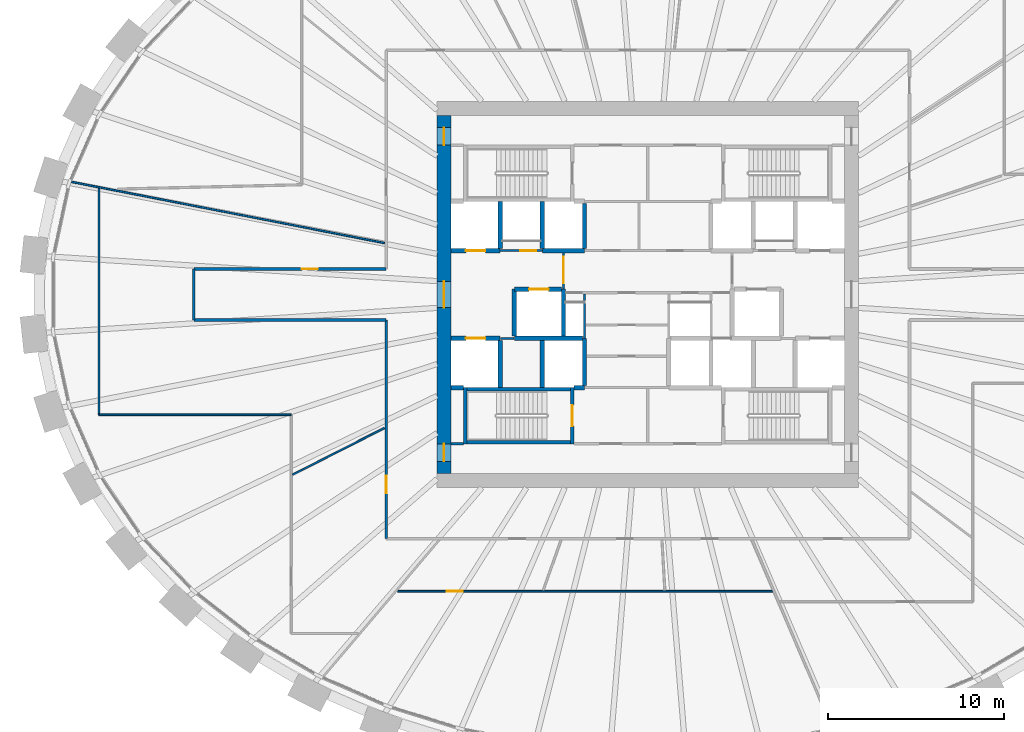
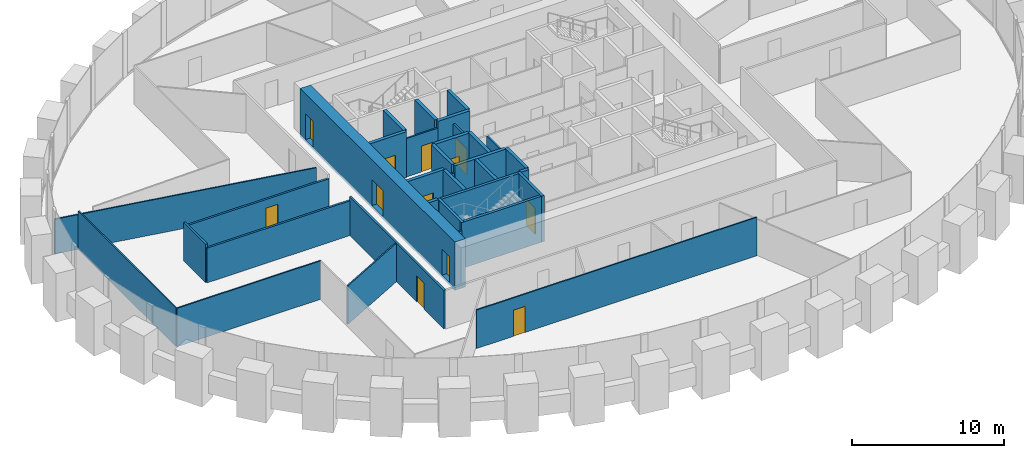
# One storey, part 6 of 11: 34 walls, 12 doors, 12 openings.
"""IFC4 building model written with IfcOpenShell, lengths in metres."""

from ifc_helpers import new_model, si_unit, direction, frame, frame_2d, origin, place, context, subcontext, project, spatial, rectangle, extrude, source, transform, mapped, material, layer, layer_set, type_object, element, fill, save


model = new_model("IFC4")

# Units and contexts
model_context = context("Model", 3, precision=1e-05, world=origin(), true_north=direction((0.0, 1.0)))
body_context = subcontext(model_context, "Body", "Model", "MODEL_VIEW")
ifc_project = project(units=[si_unit("LENGTHUNIT", "METRE"), si_unit("AREAUNIT", "SQUARE_METRE"), si_unit("VOLUMEUNIT", "CUBIC_METRE"), si_unit("PLANEANGLEUNIT", "RADIAN"), si_unit("MASSUNIT", "GRAM", prefix="KILO")], contexts=[model_context])

# Site, building, storey
site_placement = place(None, origin())
site = spatial("IfcSite", under=ifc_project, at=site_placement, CompositionType="ELEMENT")
building_placement = place(site_placement, origin())
building = spatial("IfcBuilding", under=site, at=building_placement, Name="Embergate Tower", CompositionType="ELEMENT")
storey_placement = place(building_placement, frame((0.0, 0.0, 226.800048828125)))
storey = spatial("IfcBuildingStorey", under=building, at=storey_placement, Name="L52", CompositionType="ELEMENT", Elevation=226.800048828125)

# Wall, openings, doors
ifc_material_1 = material(Name="Concrete C70", Category="concrete")
ifc_layer_1 = layer(ifc_material_1, 0.800048828125)
ifc_layer_set_1 = layer_set([ifc_layer_1], Name="Concrete C70")
wall_type_1 = type_object("IfcWallType", Name="Core outer wall C70 800", PredefinedType="SHEAR", material=ifc_layer_set_1)
shared_shape_1 = source(origin(), body_context, "Body", "SweptSolid", [
    extrude(rectangle(XDim=20.39990234375, YDim=0.800048828125, at=frame_2d((10.199951171875, 0.0))), origin(), (0.0, 0.0, 1.0), 3.89990234375),
])
wall_1_placement = place(storey_placement, frame((-11.60009765625, -10.199951171875, -0.199951171875), z_axis=(0.0, 0.0, 1.0), x_axis=(0.0, 1.0, 0.0)))
wall_1 = element("IfcWall", 1, at=wall_1_placement, inside=storey, type_object=wall_type_1, Name="CW-L52-W", PredefinedType="SHEAR", context=body_context, shape_type="MappedRepresentation", body=[
    mapped(shared_shape_1, transform((0.0, 0.0, 0.0))),
])
shared_shape_2 = source(origin(), body_context, "Body", "SweptSolid", [
    extrude(rectangle(XDim=1.0, YDim=2.10009765625, at=frame_2d((0.5, 1.050048828125))), frame((0.0, 0.409912109375, 0.0), z_axis=(0.0, -1.0, 0.0), x_axis=(1.0, 0.0, 0.0)), (0.0, 0.0, 1.0), 0.820068359375),
])
opening_1_placement = place(wall_1_placement, frame((18.699951171875, 0.0, 0.199951171875)))
opening_1 = element("IfcOpeningElement", 2, at=opening_1_placement, cuts=wall_1, Name="Opening IF-1d", PredefinedType="OPENING", context=body_context, shape_type="MappedRepresentation", body=[
    mapped(shared_shape_2, transform((0.0, 0.0, 0.0))),
])
opening_2_placement = place(wall_1_placement, frame((0.699951171875, 0.0, 0.199951171875)))
opening_2 = element("IfcOpeningElement", 3, at=opening_2_placement, cuts=wall_1, Name="Opening IF-1d", PredefinedType="OPENING", context=body_context, shape_type="MappedRepresentation", body=[
    mapped(shared_shape_2, transform((0.0, 0.0, 0.0))),
])
shared_shape_3 = source(origin(), body_context, "Body", "SweptSolid", [
    extrude(rectangle(XDim=1.5, YDim=2.10009765625, at=frame_2d((0.75, 1.050048828125))), frame((0.0, 0.409912109375, 0.0), z_axis=(0.0, -1.0, 0.0), x_axis=(1.0, 0.0, 0.0)), (0.0, 0.0, 1.0), 0.820068359375),
])
opening_3_placement = place(wall_1_placement, frame((9.449951171875, 0.0, 0.199951171875)))
opening_3 = element("IfcOpeningElement", 4, at=opening_3_placement, cuts=wall_1, Name="Opening IF-3", PredefinedType="OPENING", context=body_context, shape_type="MappedRepresentation", body=[
    mapped(shared_shape_3, transform((0.0, 0.0, 0.0))),
])
ifc_material_2 = material(Name="Lobby fire door pair 1500")
door_type_1 = type_object("IfcDoorType", Name="Lobby fire door pair 1500", OperationType="DOUBLE_DOOR_SINGLE_SWING", PredefinedType="DOOR", material=ifc_material_2)
shared_shape_4 = source(origin(), body_context, "Body", "SweptSolid", [
    extrude(rectangle(XDim=1.5, YDim=2.10009765625, at=frame_2d((0.75, 1.050048828125))), frame((0.0, 0.02490234375, 0.0), z_axis=(0.0, -1.0, 0.0), x_axis=(1.0, 0.0, 0.0)), (0.0, 0.0, 1.0), 0.050048828125),
])
door_1_placement = place(opening_3_placement, origin())
door_1 = element("IfcDoor", 5, at=door_1_placement, inside=storey, type_object=door_type_1, Name="IF-3 door", OperationType="DOUBLE_DOOR_SINGLE_SWING", OverallHeight=2.10009765625, OverallWidth=1.5, PredefinedType="DOOR", context=body_context, shape_type="MappedRepresentation", body=[
    mapped(shared_shape_4, transform((0.0, 0.0, 0.0))),
])
fill(opening_3, door_1)
ifc_material_3 = material(Name="Escape fire door 1000")
door_type_2 = type_object("IfcDoorType", Name="Escape fire door 1000", OperationType="SINGLE_SWING_LEFT", PredefinedType="DOOR", material=ifc_material_3)
shared_shape_5 = source(origin(), body_context, "Body", "SweptSolid", [
    extrude(rectangle(XDim=1.0, YDim=2.10009765625, at=frame_2d((0.5, 1.050048828125))), frame((0.0, 0.02490234375, 0.0), z_axis=(0.0, -1.0, 0.0), x_axis=(1.0, 0.0, 0.0)), (0.0, 0.0, 1.0), 0.050048828125),
])
door_2_placement = place(opening_1_placement, origin())
door_2 = element("IfcDoor", 6, at=door_2_placement, inside=storey, type_object=door_type_2, Name="IF-1 door", OperationType="SINGLE_SWING_RIGHT", OverallHeight=2.10009765625, OverallWidth=1.0, PredefinedType="DOOR", context=body_context, shape_type="MappedRepresentation", body=[
    mapped(shared_shape_5, transform((0.0, 0.0, 0.0))),
])
fill(opening_1, door_2)
door_3_placement = place(opening_2_placement, origin())
door_3 = element("IfcDoor", 7, at=door_3_placement, inside=storey, type_object=door_type_2, Name="IF-1 door", OperationType="SINGLE_SWING_RIGHT", OverallHeight=2.10009765625, OverallWidth=1.0, PredefinedType="DOOR", context=body_context, shape_type="MappedRepresentation", body=[
    mapped(shared_shape_5, transform((0.0, 0.0, 0.0))),
])
fill(opening_2, door_3)

# Walls
ifc_material_4 = material(Name="Concrete C50", Category="concrete")
ifc_layer_2 = layer(ifc_material_4, 0.25)
ifc_layer_set_2 = layer_set([ifc_layer_2], Name="Concrete C50")
wall_type_2 = type_object("IfcWallType", Name="Hoistway wall reinforced concrete 250", PredefinedType="SHEAR", material=ifc_layer_set_2)
shared_shape_6 = source(origin(), body_context, "Body", "SweptSolid", [
    extrude(rectangle(XDim=2.675048828125, YDim=0.25, at=frame_2d((1.33740234375, 0.0))), origin(), (0.0, 0.0, 1.0), 3.699951171875),
])
for number, where, z_axis, x_axis, name in (
    (8, (-8.39990234375, 2.625, 0.0), (0.0, 0.0, 1.0), (0.0, 1.0, 0.0), "HW-1 wall"),
    (9, (-6.0, 2.625, 0.0), (0.0, 0.0, 1.0), (0.0, 1.0, 0.0), "HW-1 wall"),
    (10, (-3.60009765625, -5.175048828125, 0.0), (0.0, 0.0, 1.0), (0.0, 1.0, 0.0), "HW-1 wall"),
    (11, (-4.800048828125, 0.300048828125, 0.0), (0.0, 0.0, 1.0), (0.0, -1.0, 0.0), "HW-1 wall"),
):
    element("IfcWall", number, at=place(storey_placement, frame(where, z_axis=z_axis, x_axis=x_axis)), inside=storey, type_object=wall_type_2, Name=name, PredefinedType="SHEAR", context=body_context, shape_type="MappedRepresentation", body=[
        mapped(shared_shape_6, transform((0.0, 0.0, 0.0))),
    ])

# Wall, opening, door
wall_2_placement = place(storey_placement, frame((-4.925048828125, 0.300048828125, 0.0), z_axis=(0.0, 0.0, 1.0), x_axis=(-1.0, 0.0, 0.0)))
wall_2 = element("IfcWall", 12, at=wall_2_placement, inside=storey, type_object=wall_type_2, Name="HW-1 wall", PredefinedType="SHEAR", context=body_context, shape_type="MappedRepresentation", body=[
    mapped(shared_shape_6, transform((0.0, 0.0, 0.0))),
])
shared_shape_7 = source(origin(), body_context, "Body", "SweptSolid", [
    extrude(rectangle(XDim=1.10009765625, YDim=2.10009765625, at=frame_2d((0.550048828125, 1.050048828125))), frame((0.0, 0.135009765625, 0.0), z_axis=(0.0, -1.0, 0.0), x_axis=(1.0, 0.0, 0.0)), (0.0, 0.0, 1.0), 0.27001953125),
])
opening_4_placement = place(wall_2_placement, frame((0.72509765625, 0.0, 0.0)))
opening_4 = element("IfcOpeningElement", 13, at=opening_4_placement, cuts=wall_2, Name="Opening LD", PredefinedType="OPENING", context=body_context, shape_type="MappedRepresentation", body=[
    mapped(shared_shape_7, transform((0.0, 0.0, 0.0))),
])
ifc_material_5 = material(Name="Landing door sliding 1100")
door_type_3 = type_object("IfcDoorType", Name="Landing door sliding 1100", OperationType="SLIDING_TO_LEFT", PredefinedType="DOOR", material=ifc_material_5)
shared_shape_8 = source(origin(), body_context, "Body", "SweptSolid", [
    extrude(rectangle(XDim=1.10009765625, YDim=2.10009765625, at=frame_2d((0.550048828125, 1.050048828125))), frame((0.0, 0.02490234375, 0.0), z_axis=(0.0, -1.0, 0.0), x_axis=(1.0, 0.0, 0.0)), (0.0, 0.0, 1.0), 0.050048828125),
])
door_4_placement = place(opening_4_placement, origin())
door_4 = element("IfcDoor", 14, at=door_4_placement, inside=storey, type_object=door_type_3, Name="LD door", OperationType="SLIDING_TO_LEFT", OverallHeight=2.10009765625, OverallWidth=1.10009765625, PredefinedType="DOOR", context=body_context, shape_type="MappedRepresentation", body=[
    mapped(shared_shape_8, transform((0.0, 0.0, 0.0))),
])
fill(opening_4, door_4)

# Walls
wall_3_placement = place(storey_placement, frame((-7.60009765625, 0.300048828125, 0.0), z_axis=(0.0, 0.0, 1.0), x_axis=(0.0, -1.0, 0.0)))
element("IfcWall", 15, at=wall_3_placement, inside=storey, type_object=wall_type_2, Name="HW-1 wall", PredefinedType="SHEAR", context=body_context, shape_type="MappedRepresentation", body=[
    mapped(shared_shape_6, transform((0.0, 0.0, 0.0))),
])
ifc_layer_3 = layer(ifc_material_4, 0.199951171875)
ifc_layer_set_3 = layer_set([ifc_layer_3], Name="Concrete C50")
wall_type_3 = type_object("IfcWallType", Name="Stair enclosure wall reinforced concrete 250", PredefinedType="SHEAR", material=ifc_layer_set_3)
shared_shape_9 = source(origin(), body_context, "Body", "SweptSolid", [
    extrude(rectangle(XDim=6.300048828125, YDim=0.199951171875, at=frame_2d((3.14990234375, 0.0))), origin(), (0.0, 0.0, 1.0), 3.699951171875),
])
for number, where, z_axis, x_axis, name in (
    (16, (-10.5, -5.39990234375, 0.0), (0.0, 0.0, 1.0), (1.0, 0.0, 0.0), "SE-1 wall"),
    (17, (-10.5, -8.39990234375, 0.0), (0.0, 0.0, 1.0), (1.0, 0.0, 0.0), "SE-1 wall"),
):
    element("IfcWall", number, at=place(storey_placement, frame(where, z_axis=z_axis, x_axis=x_axis)), inside=storey, type_object=wall_type_3, Name=name, PredefinedType="SHEAR", context=body_context, shape_type="MappedRepresentation", body=[
        mapped(shared_shape_9, transform((0.0, 0.0, 0.0))),
    ])
shared_shape_10 = source(origin(), body_context, "Body", "SweptSolid", [
    extrude(rectangle(XDim=2.550048828125, YDim=0.25, at=frame_2d((1.27490234375, 0.0))), origin(), (0.0, 0.0, 1.0), 3.699951171875),
])
wall_4_placement = place(storey_placement, frame((-3.60009765625, 2.625, 0.0), z_axis=(0.0, 0.0, 1.0), x_axis=(0.0, 1.0, 0.0)))
element("IfcWall", 18, at=wall_4_placement, inside=storey, type_object=wall_type_2, Name="HW-1 wall", PredefinedType="SHEAR", context=body_context, shape_type="MappedRepresentation", body=[
    mapped(shared_shape_10, transform((0.0, 0.0, 0.0))),
])

# Wall, opening, door
shared_shape_11 = source(origin(), body_context, "Body", "SweptSolid", [
    extrude(rectangle(XDim=3.199951171875, YDim=0.199951171875, at=frame_2d((1.60009765625, 0.0))), origin(), (0.0, 0.0, 1.0), 3.699951171875),
])
wall_5_placement = place(storey_placement, frame((-4.300048828125, -8.5, 0.0), z_axis=(0.0, 0.0, 1.0), x_axis=(0.0, 1.0, 0.0)))
wall_5 = element("IfcWall", 19, at=wall_5_placement, inside=storey, type_object=wall_type_3, Name="SE-1 wall", PredefinedType="SHEAR", context=body_context, shape_type="MappedRepresentation", body=[
    mapped(shared_shape_11, transform((0.0, 0.0, 0.0))),
])
shared_shape_12 = source(origin(), body_context, "Body", "SweptSolid", [
    extrude(rectangle(XDim=1.199951171875, YDim=2.10009765625, at=frame_2d((0.60009765625, 1.050048828125))), frame((0.0, 0.10986328125, 0.0), z_axis=(0.0, -1.0, 0.0), x_axis=(1.0, 0.0, 0.0)), (0.0, 0.0, 1.0), 0.219970703125),
])
opening_5_placement = place(wall_5_placement, frame((1.0, 0.0, 0.0)))
opening_5 = element("IfcOpeningElement", 20, at=opening_5_placement, cuts=wall_5, Name="Opening IF-2", PredefinedType="OPENING", context=body_context, shape_type="MappedRepresentation", body=[
    mapped(shared_shape_12, transform((0.0, 0.0, 0.0))),
])
ifc_material_6 = material(Name="Stair enclosure door 1200")
door_type_4 = type_object("IfcDoorType", Name="Stair enclosure door 1200", OperationType="SINGLE_SWING_LEFT", PredefinedType="DOOR", material=ifc_material_6)
shared_shape_13 = source(origin(), body_context, "Body", "SweptSolid", [
    extrude(rectangle(XDim=1.199951171875, YDim=2.10009765625, at=frame_2d((0.60009765625, 1.050048828125))), frame((0.0, 0.02490234375, 0.0), z_axis=(0.0, -1.0, 0.0), x_axis=(1.0, 0.0, 0.0)), (0.0, 0.0, 1.0), 0.050048828125),
])
door_5_placement = place(opening_5_placement, origin())
door_5 = element("IfcDoor", 21, at=door_5_placement, inside=storey, type_object=door_type_4, Name="IF-2 door", OperationType="SINGLE_SWING_RIGHT", OverallHeight=2.10009765625, OverallWidth=1.199951171875, PredefinedType="DOOR", context=body_context, shape_type="MappedRepresentation", body=[
    mapped(shared_shape_13, transform((0.0, 0.0, 0.0))),
])
fill(opening_5, door_5)

# Wall
shared_shape_14 = source(origin(), body_context, "Body", "SweptSolid", [
    extrude(rectangle(XDim=2.39990234375, YDim=0.25, at=frame_2d((1.199951171875, 0.0))), origin(), (0.0, 0.0, 1.0), 3.699951171875),
])
wall_6_placement = place(storey_placement, frame((-6.0, 2.5, 0.0), z_axis=(0.0, 0.0, 1.0), x_axis=(1.0, 0.0, 0.0)))
element("IfcWall", 22, at=wall_6_placement, inside=storey, type_object=wall_type_2, Name="HW-1 wall", PredefinedType="SHEAR", context=body_context, shape_type="MappedRepresentation", body=[
    mapped(shared_shape_14, transform((0.0, 0.0, 0.0))),
])

# Wall, opening, door
ifc_material_7 = material(Name="Core partition blockwork 120")
ifc_layer_4 = layer(ifc_material_7, 0.1201171875)
ifc_layer_set_4 = layer_set([ifc_layer_4], Name="Core partition blockwork 120")
wall_type_4 = type_object("IfcWallType", Name="Core partition blockwork 120", PredefinedType="PARTITIONING", material=ifc_layer_set_4)
shared_shape_15 = source(origin(), body_context, "Body", "SweptSolid", [
    extrude(rectangle(XDim=2.074951171875, YDim=0.1201171875, at=frame_2d((1.03759765625, 0.0))), origin(), (0.0, 0.0, 1.0), 3.099853515625),
])
wall_7_placement = place(storey_placement, frame((-4.800048828125, 2.375, 0.0), z_axis=(0.0, 0.0, 1.0), x_axis=(0.0, -1.0, 0.0)))
wall_7 = element("IfcWall", 23, at=wall_7_placement, inside=storey, type_object=wall_type_4, Name="IP-3 wall", PredefinedType="PARTITIONING", context=body_context, shape_type="MappedRepresentation", body=[
    mapped(shared_shape_15, transform((0.0, 0.0, 0.0))),
])
shared_shape_16 = source(origin(), body_context, "Body", "SweptSolid", [
    extrude(rectangle(XDim=1.5, YDim=2.10009765625, at=frame_2d((0.75, 1.050048828125))), frame((0.0, 0.070068359375, 0.0), z_axis=(0.0, -1.0, 0.0), x_axis=(1.0, 0.0, 0.0)), (0.0, 0.0, 1.0), 0.14013671875),
])
opening_6_placement = place(wall_7_placement, frame((0.22509765625, 0.0, 0.0)))
opening_6 = element("IfcOpeningElement", 24, at=opening_6_placement, cuts=wall_7, Name="Opening IF-3", PredefinedType="OPENING", context=body_context, shape_type="MappedRepresentation", body=[
    mapped(shared_shape_16, transform((0.0, 0.0, 0.0))),
])
door_6_placement = place(opening_6_placement, origin())
door_6 = element("IfcDoor", 25, at=door_6_placement, inside=storey, type_object=door_type_1, Name="IF-3 door", OperationType="DOUBLE_DOOR_SINGLE_SWING", OverallHeight=2.10009765625, OverallWidth=1.5, PredefinedType="DOOR", context=body_context, shape_type="MappedRepresentation", body=[
    mapped(shared_shape_4, transform((0.0, 0.0, 0.0))),
])
fill(opening_6, door_6)

shared_shape_17 = source(origin(), body_context, "Body", "SweptSolid", [
    extrude(rectangle(XDim=2.800048828125, YDim=0.25, at=frame_2d((1.39990234375, 0.0))), origin(), (0.0, 0.0, 1.0), 3.699951171875),
])
wall_8_placement = place(storey_placement, frame((-11.199951171875, 2.5, 0.0), z_axis=(0.0, 0.0, 1.0), x_axis=(1.0, 0.0, 0.0)))
wall_8 = element("IfcWall", 26, at=wall_8_placement, inside=storey, type_object=wall_type_2, Name="HW-1 wall", PredefinedType="SHEAR", context=body_context, shape_type="MappedRepresentation", body=[
    mapped(shared_shape_17, transform((0.0, 0.0, 0.0))),
])
opening_7_placement = place(wall_8_placement, frame((0.85009765625, 0.0, 0.0)))
opening_7 = element("IfcOpeningElement", 27, at=opening_7_placement, cuts=wall_8, Name="Opening LD", PredefinedType="OPENING", context=body_context, shape_type="MappedRepresentation", body=[
    mapped(shared_shape_7, transform((0.0, 0.0, 0.0))),
])
door_7_placement = place(opening_7_placement, origin())
door_7 = element("IfcDoor", 28, at=door_7_placement, inside=storey, type_object=door_type_3, Name="LD door", OperationType="SLIDING_TO_LEFT", OverallHeight=2.10009765625, OverallWidth=1.10009765625, PredefinedType="DOOR", context=body_context, shape_type="MappedRepresentation", body=[
    mapped(shared_shape_8, transform((0.0, 0.0, 0.0))),
])
fill(opening_7, door_7)

wall_9_placement = place(storey_placement, frame((-8.39990234375, -2.5, 0.0), z_axis=(0.0, 0.0, 1.0), x_axis=(-1.0, 0.0, 0.0)))
wall_9 = element("IfcWall", 29, at=wall_9_placement, inside=storey, type_object=wall_type_2, Name="HW-1 wall", PredefinedType="SHEAR", context=body_context, shape_type="MappedRepresentation", body=[
    mapped(shared_shape_17, transform((0.0, 0.0, 0.0))),
])
opening_8_placement = place(wall_9_placement, frame((0.85009765625, 0.0, 0.0)))
opening_8 = element("IfcOpeningElement", 30, at=opening_8_placement, cuts=wall_9, Name="Opening LD", PredefinedType="OPENING", context=body_context, shape_type="MappedRepresentation", body=[
    mapped(shared_shape_7, transform((0.0, 0.0, 0.0))),
])
door_8_placement = place(opening_8_placement, origin())
door_8 = element("IfcDoor", 31, at=door_8_placement, inside=storey, type_object=door_type_3, Name="LD door", OperationType="SLIDING_TO_LEFT", OverallHeight=2.10009765625, OverallWidth=1.10009765625, PredefinedType="DOOR", context=body_context, shape_type="MappedRepresentation", body=[
    mapped(shared_shape_8, transform((0.0, 0.0, 0.0))),
])
fill(opening_8, door_8)

# Walls
shared_shape_18 = source(origin(), body_context, "Body", "SweptSolid", [
    extrude(rectangle(XDim=0.599853515625, YDim=0.25, at=frame_2d((0.2998046875, 0.0))), origin(), (0.0, 0.0, 1.0), 3.699951171875),
])
wall_10_placement = place(storey_placement, frame((-4.199951171875, -5.300048828125, 0.0), z_axis=(0.0, 0.0, 1.0), x_axis=(1.0, 0.0, 0.0)))
element("IfcWall", 32, at=wall_10_placement, inside=storey, type_object=wall_type_2, Name="HW-1 wall", PredefinedType="SHEAR", context=body_context, shape_type="MappedRepresentation", body=[
    mapped(shared_shape_18, transform((0.0, 0.0, 0.0))),
])
shared_shape_19 = source(origin(), body_context, "Body", "SweptSolid", [
    extrude(rectangle(XDim=3.872802734375, YDim=0.25, at=frame_2d((1.9365234375, 0.0))), origin(), (0.0, 0.0, 1.0), 3.699951171875),
])
wall_11_placement = place(storey_placement, frame((-3.72509765625, -2.5, 0.0), z_axis=(0.0, 0.0, 1.0), x_axis=(-1.0, 0.0, 0.0)))
element("IfcWall", 33, at=wall_11_placement, inside=storey, type_object=wall_type_2, Name="HW-1 wall", PredefinedType="SHEAR", context=body_context, shape_type="MappedRepresentation", body=[
    mapped(shared_shape_19, transform((0.0, 0.0, 0.0))),
])
shared_shape_20 = source(origin(), body_context, "Body", "SweptSolid", [
    extrude(rectangle(XDim=3.196044921875, YDim=0.199951171875, at=frame_2d((1.59814453125, 0.0))), origin(), (0.0, 0.0, 1.0), 3.699951171875),
])
wall_12_placement = place(storey_placement, frame((-10.39990234375, -5.302001953125, 0.0), z_axis=(0.0, 0.0, 1.0), x_axis=(0.0, -1.0, 0.0)))
element("IfcWall", 34, at=wall_12_placement, inside=storey, type_object=wall_type_3, Name="SE-1 wall", PredefinedType="SHEAR", context=body_context, shape_type="MappedRepresentation", body=[
    mapped(shared_shape_20, transform((0.0, 0.0, 0.0))),
])
shared_shape_21 = source(origin(), body_context, "Body", "SweptSolid", [
    extrude(rectangle(XDim=0.697998046875, YDim=0.25, at=frame_2d((0.34912109375, 0.0))), origin(), (0.0, 0.0, 1.0), 3.699951171875),
])
wall_13_placement = place(storey_placement, frame((-11.199951171875, -5.300048828125, 0.0), z_axis=(0.0, 0.0, 1.0), x_axis=(1.0, 0.0, 0.0)))
element("IfcWall", 35, at=wall_13_placement, inside=storey, type_object=wall_type_2, Name="HW-1 wall", PredefinedType="SHEAR", context=body_context, shape_type="MappedRepresentation", body=[
    mapped(shared_shape_21, transform((0.0, 0.0, 0.0))),
])
shared_shape_22 = source(origin(), body_context, "Body", "SweptSolid", [
    extrude(rectangle(XDim=2.671142578125, YDim=0.25, at=frame_2d((1.33544921875, 0.0))), origin(), (0.0, 0.0, 1.0), 3.699951171875),
])
for number, where, z_axis, x_axis, name in (
    (36, (-8.39990234375, -5.298095703125, 0.0), (0.0, 0.0, 1.0), (0.0, 1.0, 0.0), "HW-1 wall"),
    (37, (-6.0, -2.626953125, 0.0), (0.0, 0.0, 1.0), (0.0, -1.0, 0.0), "HW-1 wall"),
):
    element("IfcWall", number, at=place(storey_placement, frame(where, z_axis=z_axis, x_axis=x_axis)), inside=storey, type_object=wall_type_2, Name=name, PredefinedType="SHEAR", context=body_context, shape_type="MappedRepresentation", body=[
        mapped(shared_shape_22, transform((0.0, 0.0, 0.0))),
    ])
ifc_material_8 = material(Name="Corridor wall dry-lined 150")
ifc_layer_5 = layer(ifc_material_8, 0.14990234375)
ifc_layer_set_5 = layer_set([ifc_layer_5], Name="Corridor wall dry-lined 150")
wall_type_5 = type_object("IfcWallType", Name="Corridor wall dry-lined 150", PredefinedType="PARTITIONING", material=ifc_layer_set_5)
shared_shape_23 = source(origin(), body_context, "Body", "SweptSolid", [
    extrude(rectangle(XDim=10.9501953125, YDim=0.14990234375, at=frame_2d((5.47509765625, 0.0))), origin(), (0.0, 0.0, 1.0), 2.800048828125),
])
wall_14_placement = place(storey_placement, frame((-14.89990234375, -1.449951171875, 0.0), z_axis=(0.0, 0.0, 1.0), x_axis=(-1.0, 0.0, 0.0)))
element("IfcWall", 38, at=wall_14_placement, inside=storey, type_object=wall_type_5, Name="IP-2 wall", PredefinedType="PARTITIONING", context=body_context, shape_type="MappedRepresentation", body=[
    mapped(shared_shape_23, transform((0.0, 0.0, 0.0))),
])

# Wall, opening, door
wall_15_placement = place(storey_placement, frame((-25.85009765625, 1.449951171875, 0.0), z_axis=(0.0, 0.0, 1.0), x_axis=(1.0, 0.0, 0.0)))
wall_15 = element("IfcWall", 39, at=wall_15_placement, inside=storey, type_object=wall_type_5, Name="IP-2 wall", PredefinedType="PARTITIONING", context=body_context, shape_type="MappedRepresentation", body=[
    mapped(shared_shape_23, transform((0.0, 0.0, 0.0))),
])
shared_shape_24 = source(origin(), body_context, "Body", "SweptSolid", [
    extrude(rectangle(XDim=0.89990234375, YDim=2.10009765625, at=frame_2d((0.449951171875, 1.050048828125))), frame((0.0, 0.0849609375, 0.0), z_axis=(0.0, -1.0, 0.0), x_axis=(1.0, 0.0, 0.0)), (0.0, 0.0, 1.0), 0.169921875),
])
opening_9_placement = place(wall_15_placement, frame((6.158935546875, 0.0, 0.0)))
opening_9 = element("IfcOpeningElement", 40, at=opening_9_placement, cuts=wall_15, Name="Opening IF-1c", PredefinedType="OPENING", context=body_context, shape_type="MappedRepresentation", body=[
    mapped(shared_shape_24, transform((0.0, 0.0, 0.0))),
])
ifc_material_9 = material(Name="Escape fire door 900")
door_type_5 = type_object("IfcDoorType", Name="Escape fire door 900", OperationType="SINGLE_SWING_LEFT", PredefinedType="DOOR", material=ifc_material_9)
shared_shape_25 = source(origin(), body_context, "Body", "SweptSolid", [
    extrude(rectangle(XDim=0.89990234375, YDim=2.10009765625, at=frame_2d((0.449951171875, 1.050048828125))), frame((0.0, 0.02490234375, 0.0), z_axis=(0.0, -1.0, 0.0), x_axis=(1.0, 0.0, 0.0)), (0.0, 0.0, 1.0), 0.050048828125),
])
door_9_placement = place(opening_9_placement, origin())
door_9 = element("IfcDoor", 41, at=door_9_placement, inside=storey, type_object=door_type_5, Name="IF-1 door", OperationType="SINGLE_SWING_RIGHT", OverallHeight=2.10009765625, OverallWidth=0.89990234375, PredefinedType="DOOR", context=body_context, shape_type="MappedRepresentation", body=[
    mapped(shared_shape_25, transform((0.0, 0.0, 0.0))),
])
fill(opening_9, door_9)

shared_shape_26 = source(origin(), body_context, "Body", "SweptSolid", [
    extrude(rectangle(XDim=2.39990234375, YDim=0.1201171875, at=frame_2d((1.199951171875, 0.0))), origin(), (0.0, 0.0, 1.0), 3.099853515625),
])
wall_16_placement = place(storey_placement, frame((-8.39990234375, 2.5, 0.0), z_axis=(0.0, 0.0, 1.0), x_axis=(1.0, 0.0, 0.0)))
wall_16 = element("IfcWall", 42, at=wall_16_placement, inside=storey, type_object=wall_type_4, Name="IP-3 wall", PredefinedType="PARTITIONING", context=body_context, shape_type="MappedRepresentation", body=[
    mapped(shared_shape_26, transform((0.0, 0.0, 0.0))),
])
shared_shape_27 = source(origin(), body_context, "Body", "SweptSolid", [
    extrude(rectangle(XDim=0.89990234375, YDim=2.10009765625, at=frame_2d((0.449951171875, 1.050048828125))), frame((0.0, 0.070068359375, 0.0), z_axis=(0.0, -1.0, 0.0), x_axis=(1.0, 0.0, 0.0)), (0.0, 0.0, 1.0), 0.14013671875),
])
opening_10_placement = place(wall_16_placement, frame((1.14990234375, 0.0, 0.0)))
opening_10 = element("IfcOpeningElement", 43, at=opening_10_placement, cuts=wall_16, Name="Opening ID-1", PredefinedType="OPENING", context=body_context, shape_type="MappedRepresentation", body=[
    mapped(shared_shape_27, transform((0.0, 0.0, 0.0))),
])
ifc_material_10 = material(Name="Interior door 900")
door_type_6 = type_object("IfcDoorType", Name="Interior door 900", OperationType="SINGLE_SWING_LEFT", PredefinedType="DOOR", material=ifc_material_10)
door_10_placement = place(opening_10_placement, origin())
door_10 = element("IfcDoor", 44, at=door_10_placement, inside=storey, type_object=door_type_6, Name="ID-1 door", OperationType="SINGLE_SWING_RIGHT", OverallHeight=2.10009765625, OverallWidth=0.89990234375, PredefinedType="DOOR", context=body_context, shape_type="MappedRepresentation", body=[
    mapped(shared_shape_25, transform((0.0, 0.0, 0.0))),
])
fill(opening_10, door_10)

# Walls
shared_shape_28 = source(origin(), body_context, "Body", "SweptSolid", [
    extrude(rectangle(XDim=2.5400390625, YDim=0.1201171875, at=frame_2d((1.27001953125, 0.0))), origin(), (0.0, 0.0, 1.0), 3.099853515625),
])
wall_17_placement = place(storey_placement, frame((-3.60009765625, -2.5, 0.0), z_axis=(0.0, 0.0, 1.0), x_axis=(0.0, 1.0, 0.0)))
element("IfcWall", 45, at=wall_17_placement, inside=storey, type_object=wall_type_4, Name="IP-3 wall", PredefinedType="PARTITIONING", context=body_context, shape_type="MappedRepresentation", body=[
    mapped(shared_shape_28, transform((0.0, 0.0, 0.0))),
])
shared_shape_29 = source(origin(), body_context, "Body", "SweptSolid", [
    extrude(rectangle(XDim=0.7958984375, YDim=0.1201171875, at=frame_2d((0.39794921875, 0.0))), origin(), (0.0, 0.0, 1.0), 3.099853515625),
])
wall_18_placement = place(storey_placement, frame((-8.39794921875, -2.5, 0.0), z_axis=(0.0, 0.0, 1.0), x_axis=(1.0, 0.0, 0.0)))
element("IfcWall", 46, at=wall_18_placement, inside=storey, type_object=wall_type_4, Name="IP-3 wall", PredefinedType="PARTITIONING", context=body_context, shape_type="MappedRepresentation", body=[
    mapped(shared_shape_29, transform((0.0, 0.0, 0.0))),
])
shared_shape_30 = source(origin(), body_context, "Body", "SweptSolid", [
    extrude(rectangle(XDim=0.697998046875, YDim=0.1201171875, at=frame_2d((0.34912109375, 0.0))), origin(), (0.0, 0.0, 1.0), 3.099853515625),
])
wall_19_placement = place(storey_placement, frame((-10.501953125, -8.5, 0.0), z_axis=(0.0, 0.0, 1.0), x_axis=(-1.0, 0.0, 0.0)))
element("IfcWall", 47, at=wall_19_placement, inside=storey, type_object=wall_type_4, Name="IP-3 wall", PredefinedType="PARTITIONING", context=body_context, shape_type="MappedRepresentation", body=[
    mapped(shared_shape_30, transform((0.0, 0.0, 0.0))),
])
ifc_material_11 = material(Name="Partition dry-lined 100")
ifc_layer_6 = layer(ifc_material_11, 0.10009765625)
ifc_layer_set_6 = layer_set([ifc_layer_6], Name="Partition dry-lined 100")
wall_type_6 = type_object("IfcWallType", Name="Partition dry-lined 100", PredefinedType="PARTITIONING", material=ifc_layer_set_6)
shared_shape_31 = source(origin(), body_context, "Body", "SweptSolid", [
    extrude(rectangle(XDim=10.949951171875, YDim=0.10009765625, at=frame_2d((5.47509765625, 0.0))), origin(), (0.0, 0.0, 1.0), 3.099853515625),
])
wall_20_placement = place(storey_placement, frame((-20.300048828125, -6.85009765625, 0.0), z_axis=(0.0, 0.0, 1.0), x_axis=(-1.0, 0.0, 0.0)))
element("IfcWall", 48, at=wall_20_placement, inside=storey, type_object=wall_type_6, Name="IP-1 wall", PredefinedType="PARTITIONING", context=body_context, shape_type="MappedRepresentation", body=[
    mapped(shared_shape_31, transform((0.0, 0.0, 0.0))),
])
shared_shape_32 = source(origin(), body_context, "Body", "SweptSolid", [
    extrude(rectangle(XDim=18.251953125, YDim=0.10009765625, at=frame_2d((9.1259765625, 0.0))), origin(), (0.0, 0.0, 1.0), 2.800048828125),
])
wall_21_placement = place(storey_placement, frame((-32.89794921875, 6.430908203125, 0.0), z_axis=(0.0, 0.0, 1.0), x_axis=(0.98142086384, -0.191867370908, 0.0)))
element("IfcWall", 49, at=wall_21_placement, inside=storey, type_object=wall_type_6, Name="IP-1 wall", PredefinedType="PARTITIONING", context=body_context, shape_type="MappedRepresentation", body=[
    mapped(shared_shape_32, transform((0.0, 0.0, 0.0))),
])

# Wall, opening, door
shared_shape_33 = source(origin(), body_context, "Body", "SweptSolid", [
    extrude(rectangle(XDim=12.449951171875, YDim=0.14990234375, at=frame_2d((6.22509765625, 0.0))), origin(), (0.0, 0.0, 1.0), 3.099853515625),
])
wall_22_placement = place(storey_placement, frame((-14.89990234375, -13.89990234375, 0.0), z_axis=(0.0, 0.0, 1.0), x_axis=(0.0, 1.0, 0.0)))
wall_22 = element("IfcWall", 50, at=wall_22_placement, inside=storey, type_object=wall_type_5, Name="IP-2 wall", PredefinedType="PARTITIONING", context=body_context, shape_type="MappedRepresentation", body=[
    mapped(shared_shape_33, transform((0.0, 0.0, 0.0))),
])
shared_shape_34 = source(origin(), body_context, "Body", "SweptSolid", [
    extrude(rectangle(XDim=1.0, YDim=2.10009765625, at=frame_2d((0.5, 1.050048828125))), frame((0.0, 0.0849609375, 0.0), z_axis=(0.0, -1.0, 0.0), x_axis=(1.0, 0.0, 0.0)), (0.0, 0.0, 1.0), 0.169921875),
])
opening_11_placement = place(wall_22_placement, frame((2.576904296875, 0.0, 0.0)))
opening_11 = element("IfcOpeningElement", 51, at=opening_11_placement, cuts=wall_22, Name="Opening ID-2", PredefinedType="OPENING", context=body_context, shape_type="MappedRepresentation", body=[
    mapped(shared_shape_34, transform((0.0, 0.0, 0.0))),
])
ifc_material_12 = material(Name="Interior door 1000")
door_type_7 = type_object("IfcDoorType", Name="Interior door 1000", OperationType="SINGLE_SWING_LEFT", PredefinedType="DOOR", material=ifc_material_12)
door_11_placement = place(opening_11_placement, origin())
door_11 = element("IfcDoor", 52, at=door_11_placement, inside=storey, type_object=door_type_7, Name="ID-2 door", OperationType="SINGLE_SWING_RIGHT", OverallHeight=2.10009765625, OverallWidth=1.0, PredefinedType="DOOR", context=body_context, shape_type="MappedRepresentation", body=[
    mapped(shared_shape_5, transform((0.0, 0.0, 0.0))),
])
fill(opening_11, door_11)

# Wall
shared_shape_35 = source(origin(), body_context, "Body", "SweptSolid", [
    extrude(rectangle(XDim=2.89990234375, YDim=0.14990234375, at=frame_2d((1.449951171875, 0.0))), origin(), (0.0, 0.0, 1.0), 3.099853515625),
])
wall_23_placement = place(storey_placement, frame((-25.85009765625, -1.449951171875, 0.0), z_axis=(0.0, 0.0, 1.0), x_axis=(0.0, 1.0, 0.0)))
element("IfcWall", 53, at=wall_23_placement, inside=storey, type_object=wall_type_5, Name="IP-2 wall", PredefinedType="PARTITIONING", context=body_context, shape_type="MappedRepresentation", body=[
    mapped(shared_shape_35, transform((0.0, 0.0, 0.0))),
])

# Wall, opening, door
ifc_material_13 = material(Name="Partition dry-lined 100 wet")
ifc_layer_7 = layer(ifc_material_13, 0.10009765625)
ifc_layer_set_7 = layer_set([ifc_layer_7], Name="Partition dry-lined 100 wet")
wall_type_7 = type_object("IfcWallType", Name="Partition dry-lined 100 wet", PredefinedType="PLUMBINGWALL", material=ifc_layer_set_7)
shared_shape_36 = source(origin(), body_context, "Body", "SweptSolid", [
    extrude(rectangle(XDim=21.35302734375, YDim=0.10009765625, at=frame_2d((10.676513671875, 0.0))), origin(), (0.0, 0.0, 1.0), 3.099853515625),
])
wall_24_placement = place(storey_placement, frame((-14.241943359375, -16.89990234375, 0.0), z_axis=(0.0, 0.0, 1.0), x_axis=(1.0, 0.0, 0.0)))
wall_24 = element("IfcWall", 54, at=wall_24_placement, inside=storey, type_object=wall_type_7, Name="IP-1 wall", PredefinedType="PLUMBINGWALL", context=body_context, shape_type="MappedRepresentation", body=[
    mapped(shared_shape_36, transform((0.0, 0.0, 0.0))),
])
shared_shape_37 = source(origin(), body_context, "Body", "SweptSolid", [
    extrude(rectangle(XDim=0.89990234375, YDim=2.10009765625, at=frame_2d((0.449951171875, 1.050048828125))), frame((0.0, 0.06005859375, 0.0), z_axis=(0.0, -1.0, 0.0), x_axis=(1.0, 0.0, 0.0)), (0.0, 0.0, 1.0), 0.1201171875),
])
opening_12_placement = place(wall_24_placement, frame((2.806396484375, 0.0, 0.0)))
opening_12 = element("IfcOpeningElement", 55, at=opening_12_placement, cuts=wall_24, Name="Opening ID-1", PredefinedType="OPENING", context=body_context, shape_type="MappedRepresentation", body=[
    mapped(shared_shape_37, transform((0.0, 0.0, 0.0))),
])
door_12_placement = place(opening_12_placement, origin())
door_12 = element("IfcDoor", 56, at=door_12_placement, inside=storey, type_object=door_type_6, Name="ID-1 door", OperationType="SINGLE_SWING_LEFT", OverallHeight=2.10009765625, OverallWidth=0.89990234375, PredefinedType="DOOR", context=body_context, shape_type="MappedRepresentation", body=[
    mapped(shared_shape_25, transform((0.0, 0.0, 0.0))),
])
fill(opening_12, door_12)

# Walls
shared_shape_38 = source(origin(), body_context, "Body", "SweptSolid", [
    extrude(rectangle(XDim=5.863525390625, YDim=0.10009765625, at=frame_2d((2.931640625, 0.0))), origin(), (0.0, 0.0, 1.0), 3.099853515625),
])
wall_25_placement = place(storey_placement, frame((-14.998046875, -7.60595703125, 0.0), z_axis=(0.0, 0.0, 1.0), x_axis=(-0.891780251678, -0.452468764356, 0.0)))
element("IfcWall", 57, at=wall_25_placement, inside=storey, type_object=wall_type_6, Name="IP-1 wall", PredefinedType="PARTITIONING", context=body_context, shape_type="MappedRepresentation", body=[
    mapped(shared_shape_38, transform((0.0, 0.0, 0.0))),
])
shared_shape_39 = source(origin(), body_context, "Body", "SweptSolid", [
    extrude(rectangle(XDim=12.899169921875, YDim=0.10009765625, at=frame_2d((6.44970703125, 0.0))), origin(), (0.0, 0.0, 1.0), 3.099853515625),
])
wall_26_placement = place(storey_placement, frame((-31.25, -6.85009765625, 0.0), z_axis=(0.0, 0.0, 1.0), x_axis=(0.0, 1.0, 0.0)))
element("IfcWall", 58, at=wall_26_placement, inside=storey, type_object=wall_type_6, Name="IP-1 wall", PredefinedType="PARTITIONING", context=body_context, shape_type="MappedRepresentation", body=[
    mapped(shared_shape_39, transform((0.0, 0.0, 0.0))),
])

save(model, "model.ifc")
